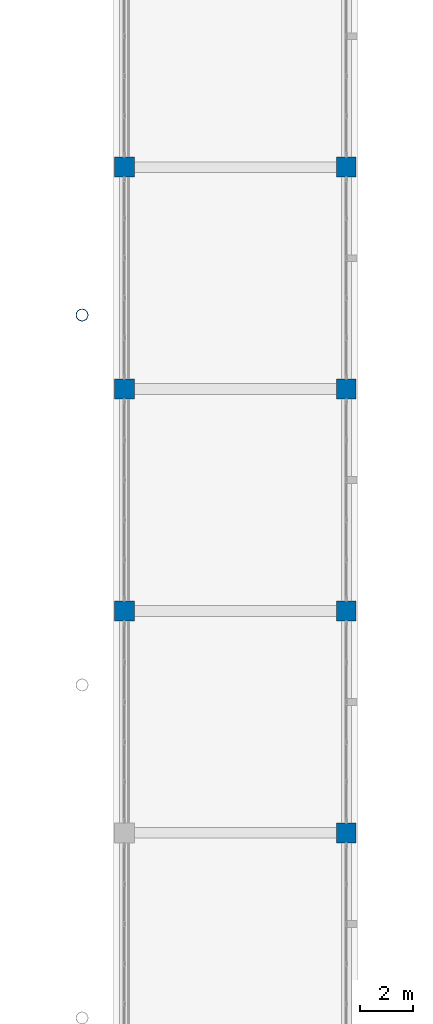
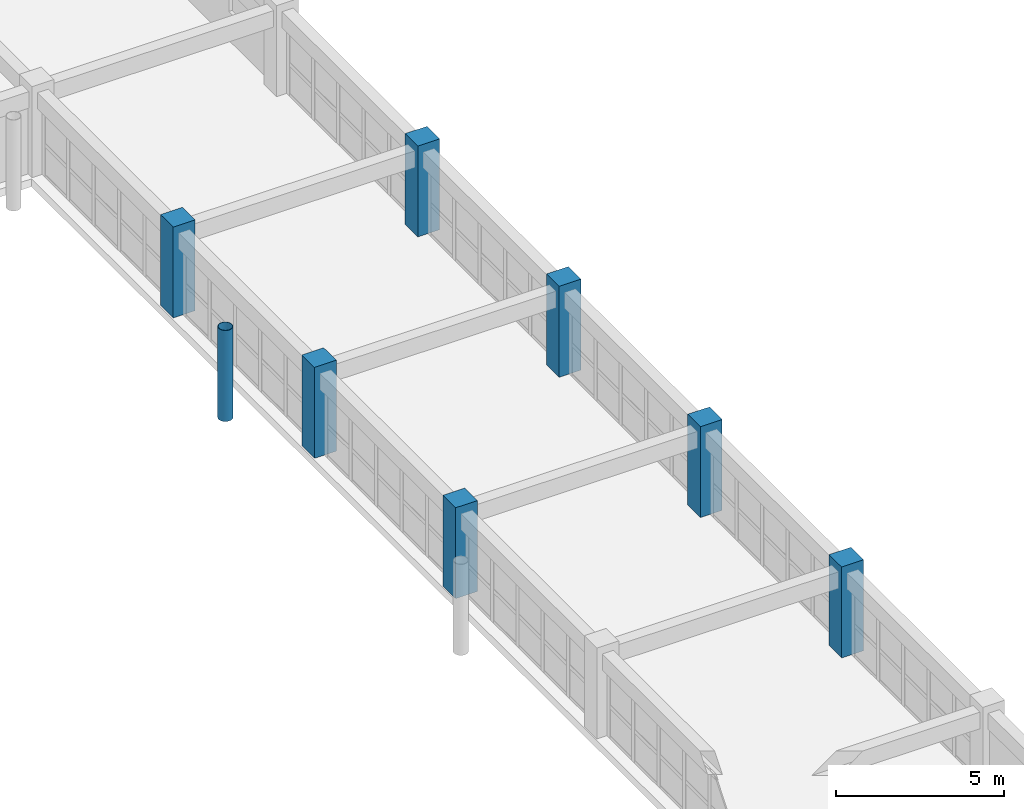
# One storey, part 24 of 200: 8 columns.
"""IFC4 building model written with IfcOpenShell, lengths in metres."""

from ifc_helpers import new_model, si_unit, direction, frame, origin, origin_2d, place, context, subcontext, project, spatial, rectangle, hollow_circle, extrude, material, material_profile, profile_set, type_object, element, save


model = new_model("IFC4")

# Units and contexts
model_context = context("Model", 3, precision=1e-05, world=origin(), true_north=direction((0.0, 1.0)))
body_context = subcontext(model_context, "Body", "Model", "MODEL_VIEW")
ifc_project = project(units=[si_unit("LENGTHUNIT", "METRE"), si_unit("AREAUNIT", "SQUARE_METRE"), si_unit("VOLUMEUNIT", "CUBIC_METRE"), si_unit("PLANEANGLEUNIT", "RADIAN"), si_unit("MASSUNIT", "GRAM", prefix="KILO")], contexts=[model_context])

# Site, building, storey
site_placement = place(None, origin())
site = spatial("IfcSite", under=ifc_project, at=site_placement, CompositionType="ELEMENT")
building_placement = place(site_placement, origin())
building = spatial("IfcBuilding", under=site, at=building_placement, Name="Trelvath General Hospital", CompositionType="ELEMENT")
storey_placement = place(building_placement, frame((0.0, 0.0, 4.800048828125)))
storey = spatial("IfcBuildingStorey", under=building, at=storey_placement, Name="L01", CompositionType="ELEMENT", Elevation=4.800048828125)

# Columns
ifc_material_1 = material(Name="Concrete C40/50", Category="concrete")
ifc_material_profile_1 = material_profile(ifc_material_1, rectangle(XDim=0.75, YDim=0.75, at=origin_2d()), Name="RC750x750")
ifc_profile_set_1 = profile_set([ifc_material_profile_1], Name="Concrete C40/50")
column_type_1 = type_object("IfcColumnType", Name="Column RC750", PredefinedType="COLUMN", material=ifc_profile_set_1)
for number, where, z_axis, x_axis, name in (
    (1, (176.39990234375, 42.0, 0.0), (0.0, 0.0, 1.0), (1.0, 0.0, 0.0), "Column C-22F L01"),
    (2, (176.39990234375, 50.39990234375, 0.0), (0.0, 0.0, 1.0), (1.0, 0.0, 0.0), "Column C-22G L01"),
    (3, (176.39990234375, 58.800048828125, 0.0), (0.0, 0.0, 1.0), (1.0, 0.0, 0.0), "Column C-22H L01"),
    (4, (184.800048828125, 33.60009765625, 0.0), (0.0, 0.0, 1.0), (1.0, 0.0, 0.0), "Column C-23E L01"),
    (5, (184.800048828125, 42.0, 0.0), (0.0, 0.0, 1.0), (1.0, 0.0, 0.0), "Column C-23F L01"),
    (6, (184.800048828125, 50.39990234375, 0.0), (0.0, 0.0, 1.0), (1.0, 0.0, 0.0), "Column C-23G L01"),
    (7, (184.800048828125, 58.800048828125, 0.0), (0.0, 0.0, 1.0), (1.0, 0.0, 0.0), "Column C-23H L01"),
):
    element("IfcColumn", number, at=place(storey_placement, frame(where, z_axis=z_axis, x_axis=x_axis)), inside=storey, type_object=column_type_1, Name=name, PredefinedType="COLUMN", context=body_context, shape_type="SweptSolid", body=[
        extrude(rectangle(XDim=0.75, YDim=0.75, at=origin_2d()), origin(), (0.0, 0.0, 1.0), 3.300048828125),
    ])
ifc_material_2 = material(Name="Steel S355", Category="steel")
ifc_material_profile_2 = material_profile(ifc_material_2, hollow_circle(Radius=0.228515625, WallThickness=0.01611328125, at=origin_2d()), Name="CHS457.0x16.0")
ifc_profile_set_2 = profile_set([ifc_material_profile_2], Name="Steel S355")
column_type_2 = type_object("IfcColumnType", Name="TreeColumn CHS457", PredefinedType="COLUMN", material=ifc_profile_set_2)
column_placement = place(storey_placement, frame((174.800048828125, 53.199951171875, 0.0), z_axis=(0.0, 0.0, 1.0), x_axis=(1.0, 0.0, 0.0)))
element("IfcColumn", 8, at=column_placement, inside=storey, type_object=column_type_2, Name="Space Frame Tree Column TC-07 L01", PredefinedType="COLUMN", context=body_context, shape_type="SweptSolid", body=[
    extrude(hollow_circle(Radius=0.228515625, WallThickness=0.01611328125, at=origin_2d()), origin(), (0.0, 0.0, 1.0), 3.300048828125),
])

save(model, "model.ifc")
